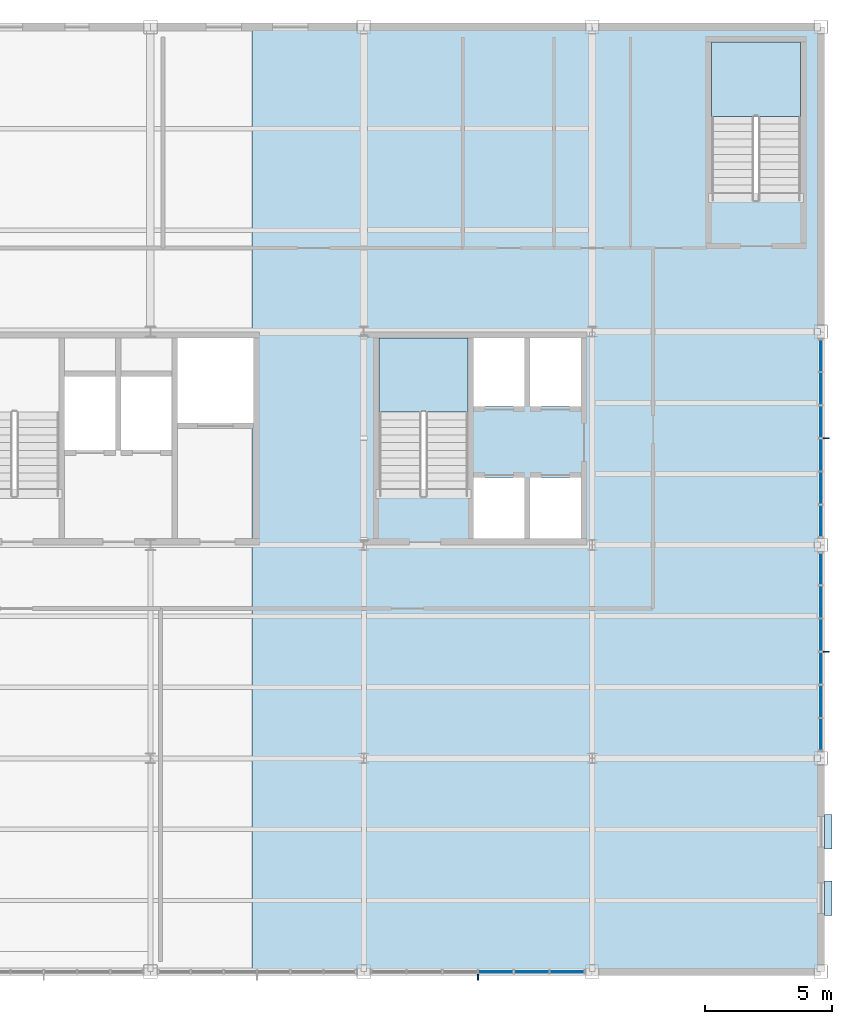
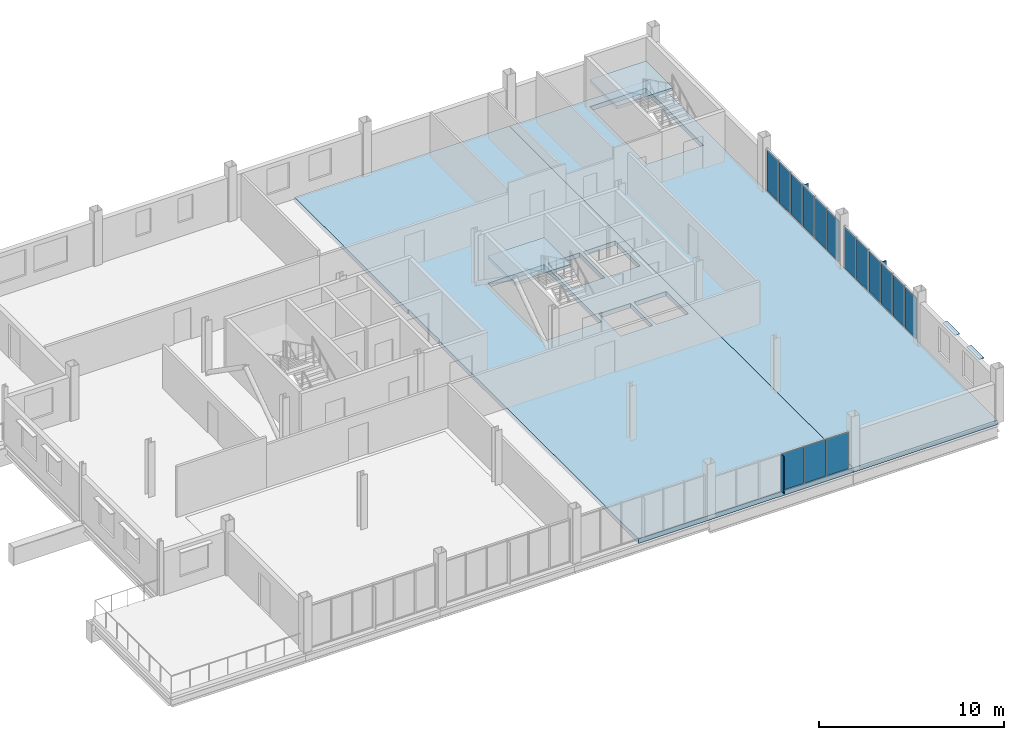
# One storey, part 12 of 18: 20 plates, 4 slabs, 5 elements without a shape of their own.
"""IFC4 building model written with IfcOpenShell, lengths in metres."""

from ifc_helpers import new_model, si_unit, direction, frame, origin, origin_2d, place, context, subcontext, project, spatial, polyline, rectangle, outline, extrude, material, layer, layer_set, type_object, element, aggregate, save


model = new_model("IFC4")

# Units and contexts
model_context = context("Model", 3, precision=1e-05, world=origin(), true_north=direction((0.0, 1.0)))
body_context = subcontext(model_context, "Body", "Model", "MODEL_VIEW")
ifc_project = project(units=[si_unit("LENGTHUNIT", "METRE"), si_unit("AREAUNIT", "SQUARE_METRE"), si_unit("VOLUMEUNIT", "CUBIC_METRE"), si_unit("PLANEANGLEUNIT", "RADIAN"), si_unit("MASSUNIT", "GRAM", prefix="KILO")], contexts=[model_context])

# Site, building, storey
site_placement = place(None, origin())
site = spatial("IfcSite", under=ifc_project, at=site_placement, CompositionType="ELEMENT")
building_placement = place(site_placement, origin())
building = spatial("IfcBuilding", under=site, at=building_placement, Name="Yukiwa Park Conservatory and Herbarium", CompositionType="ELEMENT")
storey_placement = place(building_placement, frame((0.0, 0.0, 21.0)))
storey = spatial("IfcBuildingStorey", under=building, at=storey_placement, Name="L05", CompositionType="ELEMENT", Elevation=21.0)

# Curtain wall, plates
ifc_material_1 = material(Name="Triple Low-E Insulated Glass", Category="glass")
ifc_layer_1 = layer(ifc_material_1, 0.248046875)
ifc_layer_set_1 = layer_set([ifc_layer_1], Name="Triple Low-E Insulated Glass")
curtain_wall_type_1 = type_object("IfcCurtainWallType", Name="CW-TOWER-LAB-S-1400", PredefinedType="NOTDEFINED", material=ifc_layer_set_1)
curtain_wall_1_placement = place(storey_placement, origin())
curtain_wall_1 = element("IfcCurtainWall", 1, at=curtain_wall_1_placement, inside=storey, type_object=curtain_wall_type_1, Name="L05 unitised curtain wall CW-L05-079", PredefinedType="NOTDEFINED")
ifc_material_2 = material(Name="Triple Low-E Insulated Glass", Category="glass")
ifc_layer_2 = layer(ifc_material_2, 0.035888671875)
ifc_layer_set_2 = layer_set([ifc_layer_2], Name="Triple Low-E Insulated Glass")
plate_type_1 = type_object("IfcPlateType", Name="PL-CW-GLZ-36", PredefinedType="CURTAIN_PANEL", material=ifc_layer_set_2)
plate_1_placement = place(storey_placement, frame((155.2041015625, 78.0, 0.070068359375), z_axis=(0.0, 0.0, 1.0), x_axis=(1.0, 0.0, 0.0)))
plate_1 = element("IfcPlate", 2, at=plate_1_placement, type_object=plate_type_1, Name="CW-L05-079 vision panel 4.1", PredefinedType="CURTAIN_PANEL", context=body_context, shape_type="SweptSolid", body=[
    extrude(rectangle(XDim=1.33837890625, YDim=0.035888671875, at=origin_2d()), origin(), (0.0, 0.0, 1.0), 2.41796875),
])
plate_2_placement = place(storey_placement, frame((156.612548828125, 78.0, 0.070068359375), z_axis=(0.0, 0.0, 1.0), x_axis=(1.0, 0.0, 0.0)))
plate_2 = element("IfcPlate", 3, at=plate_2_placement, type_object=plate_type_1, Name="CW-L05-079 vision panel 5.1", PredefinedType="CURTAIN_PANEL", context=body_context, shape_type="SweptSolid", body=[
    extrude(rectangle(XDim=1.33837890625, YDim=0.035888671875, at=origin_2d()), origin(), (0.0, 0.0, 1.0), 2.41796875),
])
plate_3_placement = place(storey_placement, frame((158.020751953125, 78.0, 0.070068359375), z_axis=(0.0, 0.0, 1.0), x_axis=(1.0, 0.0, 0.0)))
plate_3 = element("IfcPlate", 4, at=plate_3_placement, type_object=plate_type_1, Name="CW-L05-079 vision panel 6.1", PredefinedType="CURTAIN_PANEL", context=body_context, shape_type="SweptSolid", body=[
    extrude(rectangle(XDim=1.33837890625, YDim=0.035888671875, at=origin_2d()), origin(), (0.0, 0.0, 1.0), 2.41796875),
])
aggregate(curtain_wall_1, [plate_1, plate_2, plate_3])

ifc_material_3 = material(Name="Triple Low-E Insulated Glass", Category="glass")
ifc_layer_3 = layer(ifc_material_3, 0.22412109375)
ifc_layer_set_3 = layer_set([ifc_layer_3], Name="Triple Low-E Insulated Glass")
curtain_wall_type_2 = type_object("IfcCurtainWallType", Name="CW-TOWER-CORNER-1400", PredefinedType="NOTDEFINED", material=ifc_layer_set_3)
curtain_wall_2_placement = place(storey_placement, origin())
curtain_wall_2 = element("IfcCurtainWall", 5, at=curtain_wall_2_placement, inside=storey, type_object=curtain_wall_type_2, Name="L05 unitised curtain wall CW-L05-080", PredefinedType="NOTDEFINED")
plate_4_placement = place(storey_placement, frame((168.0, 87.3291015625, 0.070068359375), z_axis=(0.0, 0.0, 1.0), x_axis=(0.0, 1.0, 0.0)))
plate_4 = element("IfcPlate", 6, at=plate_4_placement, type_object=plate_type_1, Name="CW-L05-080 vision panel 1.1", PredefinedType="CURTAIN_PANEL", context=body_context, shape_type="SweptSolid", body=[
    extrude(rectangle(XDim=1.23828125, YDim=0.035888671875, at=origin_2d()), origin(), (0.0, 0.0, 1.0), 2.7099609375),
])
plate_5_placement = place(storey_placement, frame((168.0, 88.637451171875, 0.070068359375), z_axis=(0.0, 0.0, 1.0), x_axis=(0.0, 1.0, 0.0)))
plate_5 = element("IfcPlate", 7, at=plate_5_placement, type_object=plate_type_1, Name="CW-L05-080 vision panel 2.1", PredefinedType="CURTAIN_PANEL", context=body_context, shape_type="SweptSolid", body=[
    extrude(rectangle(XDim=1.23828125, YDim=0.035888671875, at=origin_2d()), origin(), (0.0, 0.0, 1.0), 2.7099609375),
])
plate_6_placement = place(storey_placement, frame((168.0, 89.94580078125, 0.070068359375), z_axis=(0.0, 0.0, 1.0), x_axis=(0.0, 1.0, 0.0)))
plate_6 = element("IfcPlate", 8, at=plate_6_placement, type_object=plate_type_1, Name="CW-L05-080 vision panel 3.1", PredefinedType="CURTAIN_PANEL", context=body_context, shape_type="SweptSolid", body=[
    extrude(rectangle(XDim=1.23828125, YDim=0.035888671875, at=origin_2d()), origin(), (0.0, 0.0, 1.0), 2.7099609375),
])
plate_7_placement = place(storey_placement, frame((168.0, 91.254150390625, 0.070068359375), z_axis=(0.0, 0.0, 1.0), x_axis=(0.0, 1.0, 0.0)))
plate_7 = element("IfcPlate", 9, at=plate_7_placement, type_object=plate_type_1, Name="CW-L05-080 vision panel 4.1", PredefinedType="CURTAIN_PANEL", context=body_context, shape_type="SweptSolid", body=[
    extrude(rectangle(XDim=1.23828125, YDim=0.035888671875, at=origin_2d()), origin(), (0.0, 0.0, 1.0), 2.7099609375),
])
plate_8_placement = place(storey_placement, frame((168.0, 92.5625, 0.070068359375), z_axis=(0.0, 0.0, 1.0), x_axis=(0.0, 1.0, 0.0)))
plate_8 = element("IfcPlate", 10, at=plate_8_placement, type_object=plate_type_1, Name="CW-L05-080 vision panel 5.1", PredefinedType="CURTAIN_PANEL", context=body_context, shape_type="SweptSolid", body=[
    extrude(rectangle(XDim=1.23828125, YDim=0.035888671875, at=origin_2d()), origin(), (0.0, 0.0, 1.0), 2.7099609375),
])
plate_9_placement = place(storey_placement, frame((168.0, 93.870849609375, 0.070068359375), z_axis=(0.0, 0.0, 1.0), x_axis=(0.0, 1.0, 0.0)))
plate_9 = element("IfcPlate", 11, at=plate_9_placement, type_object=plate_type_1, Name="CW-L05-080 vision panel 6.1", PredefinedType="CURTAIN_PANEL", context=body_context, shape_type="SweptSolid", body=[
    extrude(rectangle(XDim=1.23828125, YDim=0.035888671875, at=origin_2d()), origin(), (0.0, 0.0, 1.0), 2.7099609375),
])
aggregate(curtain_wall_2, [plate_4, plate_5, plate_6, plate_7, plate_8, plate_9])

curtain_wall_3_placement = place(storey_placement, origin())
curtain_wall_3 = element("IfcCurtainWall", 12, at=curtain_wall_3_placement, inside=storey, type_object=curtain_wall_type_2, Name="L05 unitised curtain wall CW-L05-081", PredefinedType="NOTDEFINED")
plate_10_placement = place(storey_placement, frame((168.0, 95.729248046875, 0.070068359375), z_axis=(0.0, 0.0, 1.0), x_axis=(0.0, 1.0, 0.0)))
plate_10 = element("IfcPlate", 13, at=plate_10_placement, type_object=plate_type_1, Name="CW-L05-081 vision panel 1.1", PredefinedType="CURTAIN_PANEL", context=body_context, shape_type="SweptSolid", body=[
    extrude(rectangle(XDim=1.23828125, YDim=0.035888671875, at=origin_2d()), origin(), (0.0, 0.0, 1.0), 2.7099609375),
])
plate_11_placement = place(storey_placement, frame((168.0, 97.03759765625, 0.070068359375), z_axis=(0.0, 0.0, 1.0), x_axis=(0.0, 1.0, 0.0)))
plate_11 = element("IfcPlate", 14, at=plate_11_placement, type_object=plate_type_1, Name="CW-L05-081 vision panel 2.1", PredefinedType="CURTAIN_PANEL", context=body_context, shape_type="SweptSolid", body=[
    extrude(rectangle(XDim=1.23828125, YDim=0.035888671875, at=origin_2d()), origin(), (0.0, 0.0, 1.0), 2.7099609375),
])
plate_12_placement = place(storey_placement, frame((168.0, 98.345703125, 0.070068359375), z_axis=(0.0, 0.0, 1.0), x_axis=(0.0, 1.0, 0.0)))
plate_12 = element("IfcPlate", 15, at=plate_12_placement, type_object=plate_type_1, Name="CW-L05-081 vision panel 3.1", PredefinedType="CURTAIN_PANEL", context=body_context, shape_type="SweptSolid", body=[
    extrude(rectangle(XDim=1.23828125, YDim=0.035888671875, at=origin_2d()), origin(), (0.0, 0.0, 1.0), 2.7099609375),
])
plate_13_placement = place(storey_placement, frame((168.0, 99.654296875, 0.070068359375), z_axis=(0.0, 0.0, 1.0), x_axis=(0.0, 1.0, 0.0)))
plate_13 = element("IfcPlate", 16, at=plate_13_placement, type_object=plate_type_1, Name="CW-L05-081 vision panel 4.1", PredefinedType="CURTAIN_PANEL", context=body_context, shape_type="SweptSolid", body=[
    extrude(rectangle(XDim=1.23828125, YDim=0.035888671875, at=origin_2d()), origin(), (0.0, 0.0, 1.0), 2.7099609375),
])
plate_14_placement = place(storey_placement, frame((168.0, 100.96240234375, 0.070068359375), z_axis=(0.0, 0.0, 1.0), x_axis=(0.0, 1.0, 0.0)))
plate_14 = element("IfcPlate", 17, at=plate_14_placement, type_object=plate_type_1, Name="CW-L05-081 vision panel 5.1", PredefinedType="CURTAIN_PANEL", context=body_context, shape_type="SweptSolid", body=[
    extrude(rectangle(XDim=1.23828125, YDim=0.035888671875, at=origin_2d()), origin(), (0.0, 0.0, 1.0), 2.7099609375),
])
plate_15_placement = place(storey_placement, frame((168.0, 102.270751953125, 0.070068359375), z_axis=(0.0, 0.0, 1.0), x_axis=(0.0, 1.0, 0.0)))
plate_15 = element("IfcPlate", 18, at=plate_15_placement, type_object=plate_type_1, Name="CW-L05-081 vision panel 6.1", PredefinedType="CURTAIN_PANEL", context=body_context, shape_type="SweptSolid", body=[
    extrude(rectangle(XDim=1.23828125, YDim=0.035888671875, at=origin_2d()), origin(), (0.0, 0.0, 1.0), 2.7099609375),
])
aggregate(curtain_wall_3, [plate_10, plate_11, plate_12, plate_13, plate_14, plate_15])

# Plates
ifc_material_4 = material(Name="Anodised Aluminium", Category="aluminium")
ifc_layer_4 = layer(ifc_material_4, 0.050048828125)
ifc_layer_set_4 = layer_set([ifc_layer_4], Name="Anodised Aluminium")
plate_type_2 = type_object("IfcPlateType", Name="PL-FIN-ALU-50", PredefinedType="USERDEFINED", material=ifc_layer_set_4)
plate_16_placement = place(storey_placement, frame((154.5, 77.81005859375, 0.06005859375), z_axis=(0.0, 0.0, 1.0), x_axis=(1.0, 0.0, 0.0)))
element("IfcPlate", 19, at=plate_16_placement, inside=storey, type_object=plate_type_2, Name="CW-L05-079 exterior vertical shading fin", ObjectType="SHADING FIN", PredefinedType="USERDEFINED", context=body_context, shape_type="SweptSolid", body=[
    extrude(rectangle(XDim=0.050048828125, YDim=0.280029296875, at=origin_2d()), origin(), (0.0, 0.0, 1.0), 2.43798828125),
])
for number, where, z_axis, x_axis, name in (
    (20, (168.18994140625, 90.60009765625, 0.06005859375), (0.0, 0.0, 1.0), (0.0, 1.0, 0.0), "CW-L05-080 exterior vertical shading fin"),
    (21, (168.18994140625, 99.0, 0.06005859375), (0.0, 0.0, 1.0), (0.0, 1.0, 0.0), "CW-L05-081 exterior vertical shading fin"),
):
    element("IfcPlate", number, at=place(storey_placement, frame(where, z_axis=z_axis, x_axis=x_axis)), inside=storey, type_object=plate_type_2, Name=name, ObjectType="SHADING FIN", PredefinedType="USERDEFINED", context=body_context, shape_type="SweptSolid", body=[
        extrude(rectangle(XDim=0.050048828125, YDim=0.280029296875, at=origin_2d()), origin(), (0.0, 0.0, 1.0), 2.72998046875),
    ])
ifc_material_5 = material(Name="Anodised Aluminium", Category="aluminium")
ifc_layer_5 = layer(ifc_material_5, 0.0400390625)
ifc_layer_set_5 = layer_set([ifc_layer_5], Name="Anodised Aluminium")
plate_type_3 = type_object("IfcPlateType", Name="PL-SHADE-ALU-40", PredefinedType="SHEET", material=ifc_layer_set_5)
for number, where, z_axis, x_axis, name in (
    (22, (168.2900390625, 80.89208984375, 2.590087890625), (0.0, 0.0, 1.0), (0.0, 1.0, 0.0), "L05 snow-shedding window hood 147"),
    (23, (168.2900390625, 83.508056640625, 2.590087890625), (0.0, 0.0, 1.0), (0.0, 1.0, 0.0), "L05 snow-shedding window hood 148"),
):
    element("IfcPlate", number, at=place(storey_placement, frame(where, z_axis=z_axis, x_axis=x_axis)), inside=storey, type_object=plate_type_3, Name=name, PredefinedType="SHEET", context=body_context, shape_type="SweptSolid", body=[
        extrude(rectangle(XDim=1.360107421875, YDim=0.300048828125, at=origin_2d()), origin(), (0.0, 0.0, 1.0), 0.0400390625),
    ])

# Slabs
ifc_material_6 = material(Name="Concrete C40", Category="concrete")
ifc_layer_6 = layer(ifc_material_6, 0.300048828125)
ifc_layer_set_6 = layer_set([ifc_layer_6], Name="Concrete C40")
slab_type_1 = type_object("IfcSlabType", Name="SL-FLR-300", PredefinedType="FLOOR", material=ifc_layer_set_6)
slab_1_placement = place(storey_placement, frame((0.0, 0.0, -0.300048828125)))
element("IfcSlab", 24, at=slab_1_placement, inside=storey, type_object=slab_type_1, Name="L05 composite structural floor slab V5C", PredefinedType="FLOOR", context=body_context, shape_type="SweptSolid", body=[
    extrude(outline(polyline([(145.60009765625, 99.60009765625), (145.659912109375, 99.60009765625), (145.659912109375, 102.949951171875), (145.60009765625, 102.949951171875), (145.60009765625, 115.199951171875), (159.0, 115.199951171875), (159.0, 78.0), (145.60009765625, 78.0), (145.60009765625, 99.60009765625)]), holes=[polyline([(154.330078125, 97.449951171875), (154.330078125, 95.050048828125), (156.330078125, 95.050048828125), (156.330078125, 97.449951171875), (154.330078125, 97.449951171875)]), polyline([(156.550048828125, 97.449951171875), (156.550048828125, 95.050048828125), (158.550048828125, 95.050048828125), (158.550048828125, 97.449951171875), (156.550048828125, 97.449951171875)]), polyline([(154.110107421875, 102.949951171875), (150.60009765625, 102.949951171875), (150.60009765625, 96.72998046875), (154.110107421875, 96.72998046875), (154.110107421875, 102.949951171875)]), polyline([(154.330078125, 102.949951171875), (154.330078125, 100.25), (156.330078125, 100.25), (156.330078125, 102.949951171875), (154.330078125, 102.949951171875)]), polyline([(158.550048828125, 102.949951171875), (156.550048828125, 102.949951171875), (156.550048828125, 100.25), (158.550048828125, 100.25), (158.550048828125, 102.949951171875)])]), origin(), (0.0, 0.0, 1.0), 0.300048828125),
])
slab_2_placement = place(storey_placement, frame((0.0, 0.0, -0.300048828125)))
element("IfcSlab", 25, at=slab_2_placement, inside=storey, type_object=slab_type_1, Name="L05 composite structural floor slab V5E", PredefinedType="FLOOR", context=body_context, shape_type="SweptSolid", body=[
    extrude(outline(polyline([(168.0, 78.0), (159.0, 78.0), (159.0, 115.199951171875), (168.0, 115.199951171875), (168.0, 78.0)]), holes=[polyline([(167.199951171875, 114.60009765625), (163.68994140625, 114.60009765625), (163.68994140625, 108.3798828125), (167.199951171875, 108.3798828125), (167.199951171875, 114.60009765625)])]), origin(), (0.0, 0.0, 1.0), 0.300048828125),
])

# Stair, slab
ifc_material_7 = material(Name="Concrete C40", Category="concrete")
stair_type_1 = type_object("IfcStairType", Name="ST-DOGLEG-ST-T2", PredefinedType="HALF_TURN_STAIR", material=ifc_material_7)
stair_1_placement = place(storey_placement, origin())
stair_1 = element("IfcStair", 26, at=stair_1_placement, inside=storey, type_object=stair_type_1, Name="L05 Protected Smoke-Proof Stair ST-T2", PredefinedType="HALF_TURN_STAIR")
ifc_material_8 = material(Name="Concrete C40", Category="concrete")
ifc_layer_7 = layer(ifc_material_8, 0.199951171875)
ifc_layer_set_7 = layer_set([ifc_layer_7], Name="Concrete C40")
slab_type_2 = type_object("IfcSlabType", Name="SL-LANDING-220", PredefinedType="LANDING", material=ifc_layer_set_7)
slab_3_placement = place(storey_placement, frame((0.0, 0.0, 1.60009765625)))
slab_3 = element("IfcSlab", 27, at=slab_3_placement, type_object=slab_type_2, Name="ST-T2 landing 1", PredefinedType="LANDING", context=body_context, shape_type="SweptSolid", body=[
    extrude(outline(polyline([(154.110107421875, 100.030029296875), (154.110107421875, 102.949951171875), (150.60009765625, 102.949951171875), (150.60009765625, 100.030029296875), (154.110107421875, 100.030029296875)])), origin(), (0.0, 0.0, 1.0), 0.199951171875),
])
aggregate(stair_1, [slab_3])

ifc_material_9 = material(Name="Concrete C40", Category="concrete")
stair_type_2 = type_object("IfcStairType", Name="ST-DOGLEG-ST-T3", PredefinedType="HALF_TURN_STAIR", material=ifc_material_9)
stair_2_placement = place(storey_placement, origin())
stair_2 = element("IfcStair", 28, at=stair_2_placement, inside=storey, type_object=stair_type_2, Name="L05 Protected Smoke-Proof Stair ST-T3", PredefinedType="HALF_TURN_STAIR")
slab_4_placement = place(storey_placement, frame((0.0, 0.0, 1.60009765625)))
slab_4 = element("IfcSlab", 29, at=slab_4_placement, type_object=slab_type_2, Name="ST-T3 landing 1", PredefinedType="LANDING", context=body_context, shape_type="SweptSolid", body=[
    extrude(outline(polyline([(167.199951171875, 111.679931640625), (167.199951171875, 114.60009765625), (163.68994140625, 114.60009765625), (163.68994140625, 111.679931640625), (167.199951171875, 111.679931640625)])), origin(), (0.0, 0.0, 1.0), 0.199951171875),
])
aggregate(stair_2, [slab_4])

save(model, "model.ifc")
